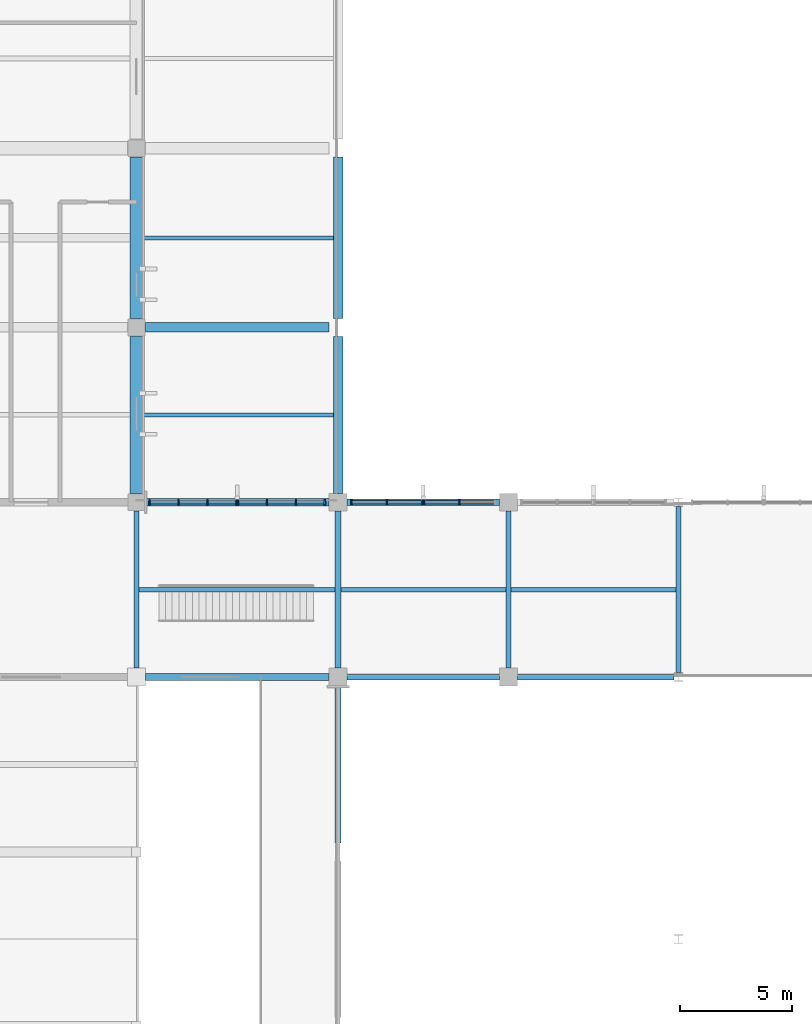
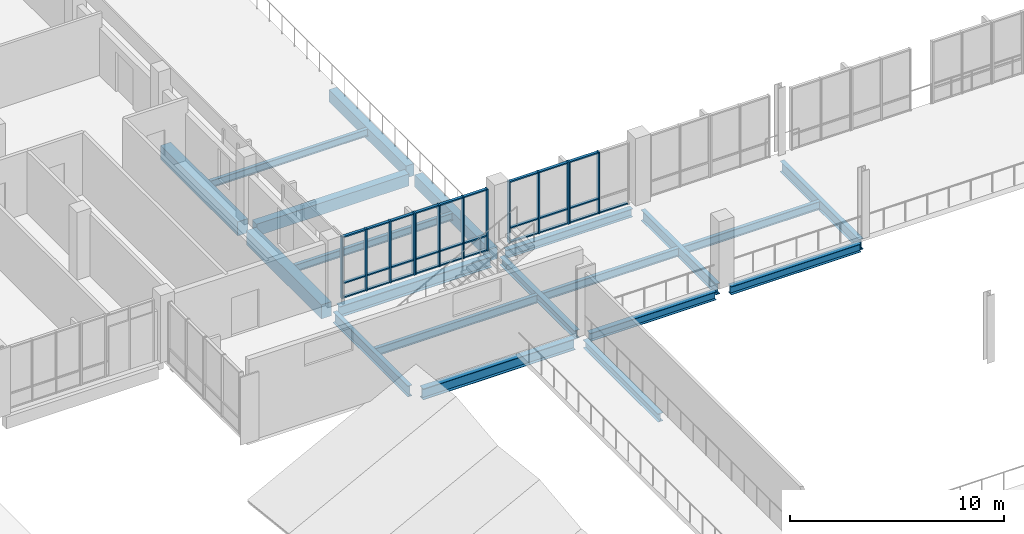
# One storey, part 23 of 64: 41 members, 20 beams, 4 elements without a shape of their own.
"""IFC4 building model written with IfcOpenShell, lengths in metres."""

from ifc_helpers import new_model, si_unit, direction, frame, origin, origin_2d, place, context, subcontext, project, spatial, rectangle, i_section, extrude, material, material_profile, profile_set, type_object, element, aggregate, save


model = new_model("IFC4")

# Units and contexts
model_context = context("Model", 3, precision=1e-05, world=origin(), true_north=direction((0.0, 1.0)))
body_context = subcontext(model_context, "Body", "Model", "MODEL_VIEW")
ifc_project = project(units=[si_unit("LENGTHUNIT", "METRE"), si_unit("AREAUNIT", "SQUARE_METRE"), si_unit("VOLUMEUNIT", "CUBIC_METRE"), si_unit("PLANEANGLEUNIT", "RADIAN"), si_unit("MASSUNIT", "GRAM", prefix="KILO")], contexts=[model_context])

# Site, building, storey
site_placement = place(None, origin())
site = spatial("IfcSite", under=ifc_project, at=site_placement, CompositionType="ELEMENT")
building_placement = place(site_placement, origin())
building = spatial("IfcBuilding", under=site, at=building_placement, Name="Vervanel Yard Central Library", CompositionType="ELEMENT")
storey_placement = place(building_placement, frame((0.0, 0.0, 8.93994140625)))
storey = spatial("IfcBuildingStorey", under=building, at=storey_placement, Name="L02", CompositionType="ELEMENT", Elevation=8.93994140625)

# Beams
ifc_material_1 = material(Name="Concrete C40/50", Category="concrete")
ifc_material_profile_1 = material_profile(ifc_material_1, rectangle(XDim=0.419921875, YDim=0.679931640625, at=origin_2d()), Name="RC 420x680", Category="concrete")
ifc_profile_set_1 = profile_set([ifc_material_profile_1], Name="Concrete C40/50")
beam_type_1 = type_object("IfcBeamType", Name="Concrete Perimeter Spandrel 420x680", PredefinedType="SPANDREL", material=ifc_profile_set_1)
beam_1_placement = place(storey_placement, frame((99.39990234375, 90.0, -0.68505859375), z_axis=(1.0, 0.0, 0.0), x_axis=(0.0, 1.0, 0.0)))
element("IfcBeam", 1, at=beam_1_placement, inside=storey, type_object=beam_type_1, Name="L02 Girder SP-04 Y=90.0 X=99.0-108.0", PredefinedType="SPANDREL", context=body_context, shape_type="SweptSolid", body=[
    extrude(rectangle(XDim=0.419921875, YDim=0.679931640625, at=origin_2d()), origin(), (0.0, 0.0, 1.0), 8.2001953125),
])
beam_2_placement = place(storey_placement, frame((108.0, 82.60009765625, -0.68505859375), z_axis=(0.0, 1.0, 0.0), x_axis=(-1.0, 0.0, 0.0)))
element("IfcBeam", 2, at=beam_2_placement, inside=storey, type_object=beam_type_1, Name="L02 Girder SP-04 X=108.0 Y=82.2-90.0", PredefinedType="SPANDREL", context=body_context, shape_type="SweptSolid", body=[
    extrude(rectangle(XDim=0.419921875, YDim=0.679931640625, at=origin_2d()), origin(), (0.0, 0.0, 1.0), 7.0),
])
beam_3_placement = place(storey_placement, frame((108.0, 90.39990234375, -0.68505859375), z_axis=(0.0, 1.0, 0.0), x_axis=(-1.0, 0.0, 0.0)))
element("IfcBeam", 3, at=beam_3_placement, inside=storey, type_object=beam_type_1, Name="L02 Girder SP-04 X=108.0 Y=90.0-98.0", PredefinedType="SPANDREL", context=body_context, shape_type="SweptSolid", body=[
    extrude(rectangle(XDim=0.419921875, YDim=0.679931640625, at=origin_2d()), origin(), (0.0, 0.0, 1.0), 7.2001953125),
])
ifc_material_profile_2 = material_profile(ifc_material_1, rectangle(XDim=0.550048828125, YDim=0.800048828125, at=origin_2d()), Name="RC 550x800", Category="concrete")
ifc_profile_set_2 = profile_set([ifc_material_profile_2], Name="Concrete C40/50")
beam_type_2 = type_object("IfcBeamType", Name="Concrete Primary Girder 550x800", PredefinedType="BEAM", material=ifc_profile_set_2)
beam_4_placement = place(storey_placement, frame((99.0, 82.60009765625, -0.744873046875), z_axis=(0.0, 1.0, 0.0), x_axis=(-1.0, 0.0, 0.0)))
element("IfcBeam", 4, at=beam_4_placement, inside=storey, type_object=beam_type_2, Name="L02 Girder CB-02 X=99.0 Y=82.2-90.0", PredefinedType="BEAM", context=body_context, shape_type="SweptSolid", body=[
    extrude(rectangle(XDim=0.550048828125, YDim=0.800048828125, at=origin_2d()), origin(), (0.0, 0.0, 1.0), 7.0),
])
beam_5_placement = place(storey_placement, frame((99.0, 90.39990234375, -0.744873046875), z_axis=(0.0, 1.0, 0.0), x_axis=(-1.0, 0.0, 0.0)))
element("IfcBeam", 5, at=beam_5_placement, inside=storey, type_object=beam_type_2, Name="L02 Girder CB-02 X=99.0 Y=90.0-98.0", PredefinedType="BEAM", context=body_context, shape_type="SweptSolid", body=[
    extrude(rectangle(XDim=0.550048828125, YDim=0.800048828125, at=origin_2d()), origin(), (0.0, 0.0, 1.0), 7.2001953125),
])

# Curtain wall, members
ifc_material_2 = material(Name="Thermally broken anodized aluminium 6063-T6", Category="aluminium")
curtain_wall_type = type_object("IfcCurtainWallType", Name="Reading Hall Full-Height Curtain Wall", PredefinedType="NOTDEFINED", material=ifc_material_2)
curtain_wall_1_placement = place(storey_placement, origin())
curtain_wall_1 = element("IfcCurtainWall", 6, at=curtain_wall_1_placement, inside=storey, type_object=curtain_wall_type, Name="L02 Reading Hall Full-Height Curtain Wall CWR-L02-096", PredefinedType="NOTDEFINED")
ifc_material_profile_3 = material_profile(ifc_material_2, rectangle(XDim=0.070068359375, YDim=0.219970703125, at=origin_2d()), Name="ALU 70x220", Category="aluminium")
ifc_profile_set_3 = profile_set([ifc_material_profile_3], Name="Thermally broken anodized aluminium 6063-T6")
member_type_1 = type_object("IfcMemberType", Name="Reading Hall Deep Mullion 70x220", PredefinedType="MULLION", material=ifc_profile_set_3)
member_1_placement = place(storey_placement, frame((99.594970703125, 82.199951171875, 0.0), z_axis=(0.0, 0.0, 1.0), x_axis=(1.0, 0.0, 0.0)))
member_1 = element("IfcMember", 7, at=member_1_placement, type_object=member_type_1, Name="CWR-L02-096 Mullion 1", PredefinedType="MULLION", context=body_context, shape_type="SweptSolid", body=[
    extrude(rectangle(XDim=0.070068359375, YDim=0.219970703125, at=origin_2d()), origin(), (0.0, 0.0, 1.0), 3.510009765625),
])
member_2_placement = place(storey_placement, frame((100.885009765625, 82.199951171875, 0.0), z_axis=(0.0, 0.0, 1.0), x_axis=(1.0, 0.0, 0.0)))
member_2 = element("IfcMember", 8, at=member_2_placement, type_object=member_type_1, Name="CWR-L02-096 Mullion 2", PredefinedType="MULLION", context=body_context, shape_type="SweptSolid", body=[
    extrude(rectangle(XDim=0.070068359375, YDim=0.219970703125, at=origin_2d()), origin(), (0.0, 0.0, 1.0), 3.510009765625),
])
member_3_placement = place(storey_placement, frame((102.175048828125, 82.199951171875, 0.0), z_axis=(0.0, 0.0, 1.0), x_axis=(1.0, 0.0, 0.0)))
member_3 = element("IfcMember", 9, at=member_3_placement, type_object=member_type_1, Name="CWR-L02-096 Mullion 3", PredefinedType="MULLION", context=body_context, shape_type="SweptSolid", body=[
    extrude(rectangle(XDim=0.070068359375, YDim=0.219970703125, at=origin_2d()), origin(), (0.0, 0.0, 1.0), 3.510009765625),
])
member_4_placement = place(storey_placement, frame((103.465087890625, 82.199951171875, 0.0), z_axis=(0.0, 0.0, 1.0), x_axis=(1.0, 0.0, 0.0)))
member_4 = element("IfcMember", 10, at=member_4_placement, type_object=member_type_1, Name="CWR-L02-096 Mullion 4", PredefinedType="MULLION", context=body_context, shape_type="SweptSolid", body=[
    extrude(rectangle(XDim=0.070068359375, YDim=0.219970703125, at=origin_2d()), origin(), (0.0, 0.0, 1.0), 3.510009765625),
])

curtain_wall_2_placement = place(storey_placement, origin())
curtain_wall_2 = element("IfcCurtainWall", 11, at=curtain_wall_2_placement, inside=storey, type_object=curtain_wall_type, Name="L02 Reading Hall Full-Height Curtain Wall CWR-L02-097", PredefinedType="NOTDEFINED")
member_5_placement = place(storey_placement, frame((103.534912109375, 82.199951171875, 0.0), z_axis=(0.0, 0.0, 1.0), x_axis=(1.0, 0.0, 0.0)))
member_5 = element("IfcMember", 12, at=member_5_placement, type_object=member_type_1, Name="CWR-L02-097 Mullion 1", PredefinedType="MULLION", context=body_context, shape_type="SweptSolid", body=[
    extrude(rectangle(XDim=0.070068359375, YDim=0.219970703125, at=origin_2d()), origin(), (0.0, 0.0, 1.0), 3.510009765625),
])
member_6_placement = place(storey_placement, frame((104.824951171875, 82.199951171875, 0.0), z_axis=(0.0, 0.0, 1.0), x_axis=(1.0, 0.0, 0.0)))
member_6 = element("IfcMember", 13, at=member_6_placement, type_object=member_type_1, Name="CWR-L02-097 Mullion 2", PredefinedType="MULLION", context=body_context, shape_type="SweptSolid", body=[
    extrude(rectangle(XDim=0.070068359375, YDim=0.219970703125, at=origin_2d()), origin(), (0.0, 0.0, 1.0), 3.510009765625),
])
member_7_placement = place(storey_placement, frame((106.114990234375, 82.199951171875, 0.0), z_axis=(0.0, 0.0, 1.0), x_axis=(1.0, 0.0, 0.0)))
member_7 = element("IfcMember", 14, at=member_7_placement, type_object=member_type_1, Name="CWR-L02-097 Mullion 3", PredefinedType="MULLION", context=body_context, shape_type="SweptSolid", body=[
    extrude(rectangle(XDim=0.070068359375, YDim=0.219970703125, at=origin_2d()), origin(), (0.0, 0.0, 1.0), 3.510009765625),
])
member_8_placement = place(storey_placement, frame((107.405029296875, 82.199951171875, 0.0), z_axis=(0.0, 0.0, 1.0), x_axis=(1.0, 0.0, 0.0)))
member_8 = element("IfcMember", 15, at=member_8_placement, type_object=member_type_1, Name="CWR-L02-097 Mullion 4", PredefinedType="MULLION", context=body_context, shape_type="SweptSolid", body=[
    extrude(rectangle(XDim=0.070068359375, YDim=0.219970703125, at=origin_2d()), origin(), (0.0, 0.0, 1.0), 3.510009765625),
])

curtain_wall_3_placement = place(storey_placement, origin())
curtain_wall_3 = element("IfcCurtainWall", 16, at=curtain_wall_3_placement, inside=storey, type_object=curtain_wall_type, Name="L02 Reading Hall Full-Height Curtain Wall CWR-L02-098", PredefinedType="NOTDEFINED")
member_9_placement = place(storey_placement, frame((108.594970703125, 82.199951171875, 0.0), z_axis=(0.0, 0.0, 1.0), x_axis=(1.0, 0.0, 0.0)))
member_9 = element("IfcMember", 17, at=member_9_placement, type_object=member_type_1, Name="CWR-L02-098 Mullion 1", PredefinedType="MULLION", context=body_context, shape_type="SweptSolid", body=[
    extrude(rectangle(XDim=0.070068359375, YDim=0.219970703125, at=origin_2d()), origin(), (0.0, 0.0, 1.0), 3.510009765625),
])
member_10_placement = place(storey_placement, frame((110.179931640625, 82.199951171875, 0.0), z_axis=(0.0, 0.0, 1.0), x_axis=(1.0, 0.0, 0.0)))
member_10 = element("IfcMember", 18, at=member_10_placement, type_object=member_type_1, Name="CWR-L02-098 Mullion 2", PredefinedType="MULLION", context=body_context, shape_type="SweptSolid", body=[
    extrude(rectangle(XDim=0.070068359375, YDim=0.219970703125, at=origin_2d()), origin(), (0.0, 0.0, 1.0), 3.510009765625),
])
member_11_placement = place(storey_placement, frame((111.764892578125, 82.199951171875, 0.0), z_axis=(0.0, 0.0, 1.0), x_axis=(1.0, 0.0, 0.0)))
member_11 = element("IfcMember", 19, at=member_11_placement, type_object=member_type_1, Name="CWR-L02-098 Mullion 3", PredefinedType="MULLION", context=body_context, shape_type="SweptSolid", body=[
    extrude(rectangle(XDim=0.070068359375, YDim=0.219970703125, at=origin_2d()), origin(), (0.0, 0.0, 1.0), 3.510009765625),
])

curtain_wall_4_placement = place(storey_placement, origin())
curtain_wall_4 = element("IfcCurtainWall", 20, at=curtain_wall_4_placement, inside=storey, type_object=curtain_wall_type, Name="L02 Reading Hall Full-Height Curtain Wall CWR-L02-099", PredefinedType="NOTDEFINED")
member_12_placement = place(storey_placement, frame((111.8349609375, 82.199951171875, 0.0), z_axis=(0.0, 0.0, 1.0), x_axis=(1.0, 0.0, 0.0)))
member_12 = element("IfcMember", 21, at=member_12_placement, type_object=member_type_1, Name="CWR-L02-099 Mullion 1", PredefinedType="MULLION", context=body_context, shape_type="SweptSolid", body=[
    extrude(rectangle(XDim=0.070068359375, YDim=0.219970703125, at=origin_2d()), origin(), (0.0, 0.0, 1.0), 3.510009765625),
])
member_13_placement = place(storey_placement, frame((113.419921875, 82.199951171875, 0.0), z_axis=(0.0, 0.0, 1.0), x_axis=(1.0, 0.0, 0.0)))
member_13 = element("IfcMember", 22, at=member_13_placement, type_object=member_type_1, Name="CWR-L02-099 Mullion 2", PredefinedType="MULLION", context=body_context, shape_type="SweptSolid", body=[
    extrude(rectangle(XDim=0.070068359375, YDim=0.219970703125, at=origin_2d()), origin(), (0.0, 0.0, 1.0), 3.510009765625),
])

# Member
ifc_material_profile_4 = material_profile(ifc_material_2, rectangle(XDim=0.070068359375, YDim=0.14990234375, at=origin_2d()), Name="ALU 70x150", Category="aluminium")
ifc_profile_set_4 = profile_set([ifc_material_profile_4], Name="Thermally broken anodized aluminium 6063-T6")
member_type_2 = type_object("IfcMemberType", Name="Reading Hall Deep Transom 70x150", PredefinedType="NOTDEFINED", material=ifc_profile_set_4)
member_14_placement = place(storey_placement, frame((99.6298828125, 82.199951171875, 0.03515625), z_axis=(1.0, 0.0, 0.0), x_axis=(0.0, 0.0, 1.0)))
member_14 = element("IfcMember", 23, at=member_14_placement, type_object=member_type_2, Name="CWR-L02-096 Transom B1-T1", ObjectType="TRANSOM", PredefinedType="USERDEFINED", context=body_context, shape_type="SweptSolid", body=[
    extrude(rectangle(XDim=0.070068359375, YDim=0.14990234375, at=origin_2d()), origin(), (0.0, 0.0, 1.0), 1.22021484375),
])

member_15_placement = place(storey_placement, frame((99.6298828125, 82.199951171875, 0.85009765625), z_axis=(1.0, 0.0, 0.0), x_axis=(0.0, 0.0, 1.0)))
member_15 = element("IfcMember", 24, at=member_15_placement, type_object=member_type_2, Name="CWR-L02-096 Transom B1-T2", ObjectType="TRANSOM", PredefinedType="USERDEFINED", context=body_context, shape_type="SweptSolid", body=[
    extrude(rectangle(XDim=0.070068359375, YDim=0.14990234375, at=origin_2d()), origin(), (0.0, 0.0, 1.0), 1.22021484375),
])

member_16_placement = place(storey_placement, frame((99.6298828125, 82.199951171875, 3.47509765625), z_axis=(1.0, 0.0, 0.0), x_axis=(0.0, 0.0, 1.0)))
member_16 = element("IfcMember", 25, at=member_16_placement, type_object=member_type_2, Name="CWR-L02-096 Transom B1-T3", ObjectType="TRANSOM", PredefinedType="USERDEFINED", context=body_context, shape_type="SweptSolid", body=[
    extrude(rectangle(XDim=0.070068359375, YDim=0.14990234375, at=origin_2d()), origin(), (0.0, 0.0, 1.0), 1.22021484375),
])

member_17_placement = place(storey_placement, frame((100.919921875, 82.199951171875, 0.03515625), z_axis=(1.0, 0.0, 0.0), x_axis=(0.0, 0.0, 1.0)))
member_17 = element("IfcMember", 26, at=member_17_placement, type_object=member_type_2, Name="CWR-L02-096 Transom B2-T1", ObjectType="TRANSOM", PredefinedType="USERDEFINED", context=body_context, shape_type="SweptSolid", body=[
    extrude(rectangle(XDim=0.070068359375, YDim=0.14990234375, at=origin_2d()), origin(), (0.0, 0.0, 1.0), 1.219970703125),
])

member_18_placement = place(storey_placement, frame((100.919921875, 82.199951171875, 0.85009765625), z_axis=(1.0, 0.0, 0.0), x_axis=(0.0, 0.0, 1.0)))
member_18 = element("IfcMember", 27, at=member_18_placement, type_object=member_type_2, Name="CWR-L02-096 Transom B2-T2", ObjectType="TRANSOM", PredefinedType="USERDEFINED", context=body_context, shape_type="SweptSolid", body=[
    extrude(rectangle(XDim=0.070068359375, YDim=0.14990234375, at=origin_2d()), origin(), (0.0, 0.0, 1.0), 1.219970703125),
])

member_19_placement = place(storey_placement, frame((100.919921875, 82.199951171875, 3.47509765625), z_axis=(1.0, 0.0, 0.0), x_axis=(0.0, 0.0, 1.0)))
member_19 = element("IfcMember", 28, at=member_19_placement, type_object=member_type_2, Name="CWR-L02-096 Transom B2-T3", ObjectType="TRANSOM", PredefinedType="USERDEFINED", context=body_context, shape_type="SweptSolid", body=[
    extrude(rectangle(XDim=0.070068359375, YDim=0.14990234375, at=origin_2d()), origin(), (0.0, 0.0, 1.0), 1.219970703125),
])

member_20_placement = place(storey_placement, frame((102.2099609375, 82.199951171875, 0.03515625), z_axis=(1.0, 0.0, 0.0), x_axis=(0.0, 0.0, 1.0)))
member_20 = element("IfcMember", 29, at=member_20_placement, type_object=member_type_2, Name="CWR-L02-096 Transom B3-T1", ObjectType="TRANSOM", PredefinedType="USERDEFINED", context=body_context, shape_type="SweptSolid", body=[
    extrude(rectangle(XDim=0.070068359375, YDim=0.14990234375, at=origin_2d()), origin(), (0.0, 0.0, 1.0), 1.219970703125),
])

member_21_placement = place(storey_placement, frame((102.2099609375, 82.199951171875, 0.85009765625), z_axis=(1.0, 0.0, 0.0), x_axis=(0.0, 0.0, 1.0)))
member_21 = element("IfcMember", 30, at=member_21_placement, type_object=member_type_2, Name="CWR-L02-096 Transom B3-T2", ObjectType="TRANSOM", PredefinedType="USERDEFINED", context=body_context, shape_type="SweptSolid", body=[
    extrude(rectangle(XDim=0.070068359375, YDim=0.14990234375, at=origin_2d()), origin(), (0.0, 0.0, 1.0), 1.219970703125),
])

member_22_placement = place(storey_placement, frame((102.2099609375, 82.199951171875, 3.47509765625), z_axis=(1.0, 0.0, 0.0), x_axis=(0.0, 0.0, 1.0)))
member_22 = element("IfcMember", 31, at=member_22_placement, type_object=member_type_2, Name="CWR-L02-096 Transom B3-T3", ObjectType="TRANSOM", PredefinedType="USERDEFINED", context=body_context, shape_type="SweptSolid", body=[
    extrude(rectangle(XDim=0.070068359375, YDim=0.14990234375, at=origin_2d()), origin(), (0.0, 0.0, 1.0), 1.219970703125),
])

aggregate(curtain_wall_1, [member_1, member_2, member_3, member_4, member_14, member_15, member_16, member_17, member_18, member_19, member_20, member_21, member_22])

member_23_placement = place(storey_placement, frame((103.570068359375, 82.199951171875, 0.03515625), z_axis=(1.0, 0.0, 0.0), x_axis=(0.0, 0.0, 1.0)))
member_23 = element("IfcMember", 32, at=member_23_placement, type_object=member_type_2, Name="CWR-L02-097 Transom B1-T1", ObjectType="TRANSOM", PredefinedType="USERDEFINED", context=body_context, shape_type="SweptSolid", body=[
    extrude(rectangle(XDim=0.070068359375, YDim=0.14990234375, at=origin_2d()), origin(), (0.0, 0.0, 1.0), 1.219970703125),
])

member_24_placement = place(storey_placement, frame((103.570068359375, 82.199951171875, 0.85009765625), z_axis=(1.0, 0.0, 0.0), x_axis=(0.0, 0.0, 1.0)))
member_24 = element("IfcMember", 33, at=member_24_placement, type_object=member_type_2, Name="CWR-L02-097 Transom B1-T2", ObjectType="TRANSOM", PredefinedType="USERDEFINED", context=body_context, shape_type="SweptSolid", body=[
    extrude(rectangle(XDim=0.070068359375, YDim=0.14990234375, at=origin_2d()), origin(), (0.0, 0.0, 1.0), 1.219970703125),
])

member_25_placement = place(storey_placement, frame((103.570068359375, 82.199951171875, 3.47509765625), z_axis=(1.0, 0.0, 0.0), x_axis=(0.0, 0.0, 1.0)))
member_25 = element("IfcMember", 34, at=member_25_placement, type_object=member_type_2, Name="CWR-L02-097 Transom B1-T3", ObjectType="TRANSOM", PredefinedType="USERDEFINED", context=body_context, shape_type="SweptSolid", body=[
    extrude(rectangle(XDim=0.070068359375, YDim=0.14990234375, at=origin_2d()), origin(), (0.0, 0.0, 1.0), 1.219970703125),
])

member_26_placement = place(storey_placement, frame((104.860107421875, 82.199951171875, 0.03515625), z_axis=(1.0, 0.0, 0.0), x_axis=(0.0, 0.0, 1.0)))
member_26 = element("IfcMember", 35, at=member_26_placement, type_object=member_type_2, Name="CWR-L02-097 Transom B2-T1", ObjectType="TRANSOM", PredefinedType="USERDEFINED", context=body_context, shape_type="SweptSolid", body=[
    extrude(rectangle(XDim=0.070068359375, YDim=0.14990234375, at=origin_2d()), origin(), (0.0, 0.0, 1.0), 1.219970703125),
])

member_27_placement = place(storey_placement, frame((104.860107421875, 82.199951171875, 0.85009765625), z_axis=(1.0, 0.0, 0.0), x_axis=(0.0, 0.0, 1.0)))
member_27 = element("IfcMember", 36, at=member_27_placement, type_object=member_type_2, Name="CWR-L02-097 Transom B2-T2", ObjectType="TRANSOM", PredefinedType="USERDEFINED", context=body_context, shape_type="SweptSolid", body=[
    extrude(rectangle(XDim=0.070068359375, YDim=0.14990234375, at=origin_2d()), origin(), (0.0, 0.0, 1.0), 1.219970703125),
])

member_28_placement = place(storey_placement, frame((104.860107421875, 82.199951171875, 3.47509765625), z_axis=(1.0, 0.0, 0.0), x_axis=(0.0, 0.0, 1.0)))
member_28 = element("IfcMember", 37, at=member_28_placement, type_object=member_type_2, Name="CWR-L02-097 Transom B2-T3", ObjectType="TRANSOM", PredefinedType="USERDEFINED", context=body_context, shape_type="SweptSolid", body=[
    extrude(rectangle(XDim=0.070068359375, YDim=0.14990234375, at=origin_2d()), origin(), (0.0, 0.0, 1.0), 1.219970703125),
])

member_29_placement = place(storey_placement, frame((106.14990234375, 82.199951171875, 0.03515625), z_axis=(1.0, 0.0, 0.0), x_axis=(0.0, 0.0, 1.0)))
member_29 = element("IfcMember", 38, at=member_29_placement, type_object=member_type_2, Name="CWR-L02-097 Transom B3-T1", ObjectType="TRANSOM", PredefinedType="USERDEFINED", context=body_context, shape_type="SweptSolid", body=[
    extrude(rectangle(XDim=0.070068359375, YDim=0.14990234375, at=origin_2d()), origin(), (0.0, 0.0, 1.0), 1.22021484375),
])

member_30_placement = place(storey_placement, frame((106.14990234375, 82.199951171875, 0.85009765625), z_axis=(1.0, 0.0, 0.0), x_axis=(0.0, 0.0, 1.0)))
member_30 = element("IfcMember", 39, at=member_30_placement, type_object=member_type_2, Name="CWR-L02-097 Transom B3-T2", ObjectType="TRANSOM", PredefinedType="USERDEFINED", context=body_context, shape_type="SweptSolid", body=[
    extrude(rectangle(XDim=0.070068359375, YDim=0.14990234375, at=origin_2d()), origin(), (0.0, 0.0, 1.0), 1.22021484375),
])

member_31_placement = place(storey_placement, frame((106.14990234375, 82.199951171875, 3.47509765625), z_axis=(1.0, 0.0, 0.0), x_axis=(0.0, 0.0, 1.0)))
member_31 = element("IfcMember", 40, at=member_31_placement, type_object=member_type_2, Name="CWR-L02-097 Transom B3-T3", ObjectType="TRANSOM", PredefinedType="USERDEFINED", context=body_context, shape_type="SweptSolid", body=[
    extrude(rectangle(XDim=0.070068359375, YDim=0.14990234375, at=origin_2d()), origin(), (0.0, 0.0, 1.0), 1.22021484375),
])

aggregate(curtain_wall_2, [member_5, member_6, member_7, member_8, member_23, member_24, member_25, member_26, member_27, member_28, member_29, member_30, member_31])

member_32_placement = place(storey_placement, frame((108.6298828125, 82.199951171875, 0.03515625), z_axis=(1.0, 0.0, 0.0), x_axis=(0.0, 0.0, 1.0)))
member_32 = element("IfcMember", 41, at=member_32_placement, type_object=member_type_2, Name="CWR-L02-098 Transom B1-T1", ObjectType="TRANSOM", PredefinedType="USERDEFINED", context=body_context, shape_type="SweptSolid", body=[
    extrude(rectangle(XDim=0.070068359375, YDim=0.14990234375, at=origin_2d()), origin(), (0.0, 0.0, 1.0), 1.51513671875),
])

member_33_placement = place(storey_placement, frame((108.6298828125, 82.199951171875, 0.85009765625), z_axis=(1.0, 0.0, 0.0), x_axis=(0.0, 0.0, 1.0)))
member_33 = element("IfcMember", 42, at=member_33_placement, type_object=member_type_2, Name="CWR-L02-098 Transom B1-T2", ObjectType="TRANSOM", PredefinedType="USERDEFINED", context=body_context, shape_type="SweptSolid", body=[
    extrude(rectangle(XDim=0.070068359375, YDim=0.14990234375, at=origin_2d()), origin(), (0.0, 0.0, 1.0), 1.51513671875),
])

member_34_placement = place(storey_placement, frame((108.6298828125, 82.199951171875, 3.47509765625), z_axis=(1.0, 0.0, 0.0), x_axis=(0.0, 0.0, 1.0)))
member_34 = element("IfcMember", 43, at=member_34_placement, type_object=member_type_2, Name="CWR-L02-098 Transom B1-T3", ObjectType="TRANSOM", PredefinedType="USERDEFINED", context=body_context, shape_type="SweptSolid", body=[
    extrude(rectangle(XDim=0.070068359375, YDim=0.14990234375, at=origin_2d()), origin(), (0.0, 0.0, 1.0), 1.51513671875),
])

member_35_placement = place(storey_placement, frame((110.215087890625, 82.199951171875, 0.03515625), z_axis=(1.0, 0.0, 0.0), x_axis=(0.0, 0.0, 1.0)))
member_35 = element("IfcMember", 44, at=member_35_placement, type_object=member_type_2, Name="CWR-L02-098 Transom B2-T1", ObjectType="TRANSOM", PredefinedType="USERDEFINED", context=body_context, shape_type="SweptSolid", body=[
    extrude(rectangle(XDim=0.070068359375, YDim=0.14990234375, at=origin_2d()), origin(), (0.0, 0.0, 1.0), 1.514892578125),
])

member_36_placement = place(storey_placement, frame((110.215087890625, 82.199951171875, 0.85009765625), z_axis=(1.0, 0.0, 0.0), x_axis=(0.0, 0.0, 1.0)))
member_36 = element("IfcMember", 45, at=member_36_placement, type_object=member_type_2, Name="CWR-L02-098 Transom B2-T2", ObjectType="TRANSOM", PredefinedType="USERDEFINED", context=body_context, shape_type="SweptSolid", body=[
    extrude(rectangle(XDim=0.070068359375, YDim=0.14990234375, at=origin_2d()), origin(), (0.0, 0.0, 1.0), 1.514892578125),
])

member_37_placement = place(storey_placement, frame((110.215087890625, 82.199951171875, 3.47509765625), z_axis=(1.0, 0.0, 0.0), x_axis=(0.0, 0.0, 1.0)))
member_37 = element("IfcMember", 46, at=member_37_placement, type_object=member_type_2, Name="CWR-L02-098 Transom B2-T3", ObjectType="TRANSOM", PredefinedType="USERDEFINED", context=body_context, shape_type="SweptSolid", body=[
    extrude(rectangle(XDim=0.070068359375, YDim=0.14990234375, at=origin_2d()), origin(), (0.0, 0.0, 1.0), 1.514892578125),
])

aggregate(curtain_wall_3, [member_9, member_10, member_11, member_32, member_33, member_34, member_35, member_36, member_37])

member_38_placement = place(storey_placement, frame((111.8701171875, 82.199951171875, 0.03515625), z_axis=(1.0, 0.0, 0.0), x_axis=(0.0, 0.0, 1.0)))
member_38 = element("IfcMember", 47, at=member_38_placement, type_object=member_type_2, Name="CWR-L02-099 Transom B1-T1", ObjectType="TRANSOM", PredefinedType="USERDEFINED", context=body_context, shape_type="SweptSolid", body=[
    extrude(rectangle(XDim=0.070068359375, YDim=0.14990234375, at=origin_2d()), origin(), (0.0, 0.0, 1.0), 1.514892578125),
])

member_39_placement = place(storey_placement, frame((111.8701171875, 82.199951171875, 0.85009765625), z_axis=(1.0, 0.0, 0.0), x_axis=(0.0, 0.0, 1.0)))
member_39 = element("IfcMember", 48, at=member_39_placement, type_object=member_type_2, Name="CWR-L02-099 Transom B1-T2", ObjectType="TRANSOM", PredefinedType="USERDEFINED", context=body_context, shape_type="SweptSolid", body=[
    extrude(rectangle(XDim=0.070068359375, YDim=0.14990234375, at=origin_2d()), origin(), (0.0, 0.0, 1.0), 1.514892578125),
])

member_40_placement = place(storey_placement, frame((111.8701171875, 82.199951171875, 3.47509765625), z_axis=(1.0, 0.0, 0.0), x_axis=(0.0, 0.0, 1.0)))
member_40 = element("IfcMember", 49, at=member_40_placement, type_object=member_type_2, Name="CWR-L02-099 Transom B1-T3", ObjectType="TRANSOM", PredefinedType="USERDEFINED", context=body_context, shape_type="SweptSolid", body=[
    extrude(rectangle(XDim=0.070068359375, YDim=0.14990234375, at=origin_2d()), origin(), (0.0, 0.0, 1.0), 1.514892578125),
])

member_41_placement = place(storey_placement, frame((113.455078125, 82.199951171875, 0.03515625), z_axis=(1.0, 0.0, 0.0), x_axis=(0.0, 0.0, 1.0)))
member_41 = element("IfcMember", 50, at=member_41_placement, type_object=member_type_2, Name="CWR-L02-099 Transom B2-T1", ObjectType="TRANSOM", PredefinedType="USERDEFINED", context=body_context, shape_type="SweptSolid", body=[
    extrude(rectangle(XDim=0.070068359375, YDim=0.14990234375, at=origin_2d()), origin(), (0.0, 0.0, 1.0), 1.514892578125),
])

aggregate(curtain_wall_4, [member_12, member_13, member_38, member_39, member_40, member_41])

# Beams
ifc_material_3 = material(Name="Steel ASTM A992 Grade 50", Category="steel")
ifc_material_profile_5 = material_profile(ifc_material_3, i_section(OverallWidth=0.32763671875, OverallDepth=0.622314453125, WebThickness=0.015380859375, FlangeThickness=0.0244140625, at=origin_2d()), Name="W24X131", Category="steel")
ifc_profile_set_5 = profile_set([ifc_material_profile_5], Name="Steel ASTM A992 Grade 50")
beam_type_3 = type_object("IfcBeamType", Name="Steel Primary Girder W24X131", PredefinedType="BEAM", material=ifc_profile_set_5)
for number, where, z_axis, x_axis, name in (
    (51, (99.39990234375, 74.39990234375, -0.611083984375), (1.0, 0.0, 0.0), (0.0, 1.0, 0.0), "L02 Girder SB-02 Y=74.4 X=99.0-108.0"),
    (52, (99.39990234375, 82.199951171875, -0.656005859375), (1.0, 0.0, 0.0), (0.0, 1.0, 0.0), "L02 Girder SB-02 Y=82.2 X=99.0-108.0"),
):
    element("IfcBeam", number, at=place(storey_placement, frame(where, z_axis=z_axis, x_axis=x_axis)), inside=storey, type_object=beam_type_3, Name=name, PredefinedType="BEAM", context=body_context, shape_type="SweptSolid", body=[
        extrude(i_section(OverallWidth=0.32763671875, OverallDepth=0.622314453125, WebThickness=0.015380859375, FlangeThickness=0.0244140625, at=origin_2d()), origin(), (0.0, 0.0, 1.0), 8.2001953125),
    ])
ifc_material_profile_6 = material_profile(ifc_material_3, i_section(OverallWidth=0.22900390625, OverallDepth=0.612060546875, WebThickness=0.011962890625, FlangeThickness=0.01953125, at=origin_2d()), Name="W24X84", Category="steel")
ifc_profile_set_6 = profile_set([ifc_material_profile_6], Name="Steel ASTM A992 Grade 50")
beam_type_4 = type_object("IfcBeamType", Name="Steel Primary Girder W24X84", PredefinedType="BEAM", material=ifc_profile_set_6)
for number, where, z_axis, x_axis, name in (
    (53, (99.0, 74.800048828125, -0.60595703125), (0.0, 1.0, 0.0), (-1.0, 0.0, 0.0), "L02 Girder SB-01 X=99.0 Y=74.4-82.2"),
    (54, (115.60009765625, 74.800048828125, -0.60595703125), (0.0, 1.0, 0.0), (-1.0, 0.0, 0.0), "L02 Girder SB-01 X=115.6 Y=74.4-82.2"),
):
    element("IfcBeam", number, at=place(storey_placement, frame(where, z_axis=z_axis, x_axis=x_axis)), inside=storey, type_object=beam_type_4, Name=name, PredefinedType="BEAM", context=body_context, shape_type="SweptSolid", body=[
        extrude(i_section(OverallWidth=0.22900390625, OverallDepth=0.612060546875, WebThickness=0.011962890625, FlangeThickness=0.01953125, at=origin_2d()), origin(), (0.0, 0.0, 1.0), 7.0),
    ])
beam_6_placement = place(storey_placement, frame((123.199951171875, 74.599365234375, -0.60595703125), z_axis=(0.0, 1.0, 0.0), x_axis=(-1.0, 0.0, 0.0)))
element("IfcBeam", 55, at=beam_6_placement, inside=storey, type_object=beam_type_4, Name="L02 Girder SB-01 X=123.2 Y=74.4-82.2", PredefinedType="BEAM", context=body_context, shape_type="SweptSolid", body=[
    extrude(i_section(OverallWidth=0.22900390625, OverallDepth=0.612060546875, WebThickness=0.011962890625, FlangeThickness=0.01953125, at=origin_2d()), origin(), (0.0, 0.0, 1.0), 7.401123046875),
])
ifc_material_profile_7 = material_profile(ifc_material_3, i_section(OverallWidth=0.1787109375, OverallDepth=0.408935546875, WebThickness=0.0087890625, FlangeThickness=0.014404296875, at=origin_2d()), Name="W16X45", Category="steel")
ifc_profile_set_7 = profile_set([ifc_material_profile_7], Name="Steel ASTM A992 Grade 50")
beam_type_5 = type_object("IfcBeamType", Name="Steel Secondary Joist W16X45", PredefinedType="JOIST", material=ifc_profile_set_7)
for number, where, z_axis, x_axis, name in (
    (56, (99.27490234375, 86.10009765625, -0.54931640625), (1.0, 0.0, 0.0), (0.0, 1.0, 0.0), "L02 Floor Joist SJ-01 Y=86.10 X=99.0-108.0"),
    (57, (99.27490234375, 94.0, -0.54931640625), (1.0, 0.0, 0.0), (0.0, 1.0, 0.0), "L02 Floor Joist SJ-01 Y=94.00 X=99.0-108.0"),
):
    element("IfcBeam", number, at=place(storey_placement, frame(where, z_axis=z_axis, x_axis=x_axis)), inside=storey, type_object=beam_type_5, Name=name, PredefinedType="JOIST", context=body_context, shape_type="SweptSolid", body=[
        extrude(i_section(OverallWidth=0.1787109375, OverallDepth=0.408935546875, WebThickness=0.0087890625, FlangeThickness=0.014404296875, at=origin_2d()), origin(), (0.0, 0.0, 1.0), 8.51513671875),
    ])
ifc_material_profile_8 = material_profile(ifc_material_3, i_section(OverallWidth=0.191162109375, OverallDepth=0.459716796875, WebThickness=0.010009765625, FlangeThickness=0.01611328125, at=origin_2d()), Name="W18X55", Category="steel")
ifc_profile_set_8 = profile_set([ifc_material_profile_8], Name="Steel ASTM A992 Grade 50")
beam_type_6 = type_object("IfcBeamType", Name="Steel Secondary Joist W18X55", PredefinedType="JOIST", material=ifc_profile_set_8)
beam_7_placement = place(storey_placement, frame((99.114501953125, 78.300048828125, -0.52978515625), z_axis=(1.0, 0.0, 0.0), x_axis=(0.0, 1.0, 0.0)))
element("IfcBeam", 58, at=beam_7_placement, inside=storey, type_object=beam_type_6, Name="L02 Floor Joist SJ-03 Y=78.30 X=99.0-108.0", PredefinedType="JOIST", context=body_context, shape_type="SweptSolid", body=[
    extrude(i_section(OverallWidth=0.191162109375, OverallDepth=0.459716796875, WebThickness=0.010009765625, FlangeThickness=0.01611328125, at=origin_2d()), origin(), (0.0, 0.0, 1.0), 8.744384765625),
])
beam_8_placement = place(storey_placement, frame((108.14111328125, 78.300048828125, -0.52978515625), z_axis=(1.0, 0.0, 0.0), x_axis=(0.0, 1.0, 0.0)))
element("IfcBeam", 59, at=beam_8_placement, inside=storey, type_object=beam_type_6, Name="L02 Floor Joist SJ-03 Y=78.30 X=108.0-115.6", PredefinedType="JOIST", context=body_context, shape_type="SweptSolid", body=[
    extrude(i_section(OverallWidth=0.191162109375, OverallDepth=0.459716796875, WebThickness=0.010009765625, FlangeThickness=0.01611328125, at=origin_2d()), origin(), (0.0, 0.0, 1.0), 7.34423828125),
])
beam_9_placement = place(storey_placement, frame((115.714599609375, 78.300048828125, -0.52978515625), z_axis=(1.0, 0.0, 0.0), x_axis=(0.0, 1.0, 0.0)))
element("IfcBeam", 60, at=beam_9_placement, inside=storey, type_object=beam_type_6, Name="L02 Floor Joist SJ-03 Y=78.30 X=115.6-123.2", PredefinedType="JOIST", context=body_context, shape_type="SweptSolid", body=[
    extrude(i_section(OverallWidth=0.191162109375, OverallDepth=0.459716796875, WebThickness=0.010009765625, FlangeThickness=0.01611328125, at=origin_2d()), origin(), (0.0, 0.0, 1.0), 7.370849609375),
])
ifc_material_profile_9 = material_profile(ifc_material_3, i_section(OverallWidth=0.281982421875, OverallDepth=0.46728515625, WebThickness=0.01220703125, FlangeThickness=0.01953125, at=origin_2d()), Name="W18X86", Category="steel")
ifc_profile_set_9 = profile_set([ifc_material_profile_9], Name="Steel ASTM A992 Grade 50")
beam_type_7 = type_object("IfcBeamType", Name="Steel Spandrel Beam W18X86", PredefinedType="SPANDREL", material=ifc_profile_set_9)
beam_10_placement = place(storey_placement, frame((108.39990234375, 74.39990234375, -0.53369140625), z_axis=(1.0, 0.0, 0.0), x_axis=(0.0, 1.0, 0.0)))
element("IfcBeam", 61, at=beam_10_placement, inside=storey, type_object=beam_type_7, Name="L02 Girder SP-02 Y=74.4 X=108.0-115.6", PredefinedType="SPANDREL", context=body_context, shape_type="SweptSolid", body=[
    extrude(i_section(OverallWidth=0.281982421875, OverallDepth=0.46728515625, WebThickness=0.01220703125, FlangeThickness=0.01953125, at=origin_2d()), origin(), (0.0, 0.0, 1.0), 6.800048828125),
])
beam_11_placement = place(storey_placement, frame((116.0, 74.39990234375, -0.53369140625), z_axis=(1.0, 0.0, 0.0), x_axis=(0.0, 1.0, 0.0)))
element("IfcBeam", 62, at=beam_11_placement, inside=storey, type_object=beam_type_7, Name="L02 Girder SP-02 Y=74.4 X=115.6-123.2", PredefinedType="SPANDREL", context=body_context, shape_type="SweptSolid", body=[
    extrude(i_section(OverallWidth=0.281982421875, OverallDepth=0.46728515625, WebThickness=0.01220703125, FlangeThickness=0.01953125, at=origin_2d()), origin(), (0.0, 0.0, 1.0), 6.999267578125),
])
beam_12_placement = place(storey_placement, frame((108.39990234375, 82.199951171875, -0.53369140625), z_axis=(1.0, 0.0, 0.0), x_axis=(0.0, 1.0, 0.0)))
element("IfcBeam", 63, at=beam_12_placement, inside=storey, type_object=beam_type_7, Name="L02 Girder SP-02 Y=82.2 X=108.0-115.6", PredefinedType="SPANDREL", context=body_context, shape_type="SweptSolid", body=[
    extrude(i_section(OverallWidth=0.281982421875, OverallDepth=0.46728515625, WebThickness=0.01220703125, FlangeThickness=0.01953125, at=origin_2d()), origin(), (0.0, 0.0, 1.0), 6.800048828125),
])
for number, where, z_axis, x_axis, name in (
    (64, (108.0, 67.0, -0.53369140625), (0.0, 1.0, 0.0), (-1.0, 0.0, 0.0), "L02 Girder SP-02 X=108.0 Y=66.6-74.4"),
    (65, (108.0, 74.800048828125, -0.53369140625), (0.0, 1.0, 0.0), (-1.0, 0.0, 0.0), "L02 Girder SP-02 X=108.0 Y=74.4-82.2"),
):
    element("IfcBeam", number, at=place(storey_placement, frame(where, z_axis=z_axis, x_axis=x_axis)), inside=storey, type_object=beam_type_7, Name=name, PredefinedType="SPANDREL", context=body_context, shape_type="SweptSolid", body=[
        extrude(i_section(OverallWidth=0.281982421875, OverallDepth=0.46728515625, WebThickness=0.01220703125, FlangeThickness=0.01953125, at=origin_2d()), origin(), (0.0, 0.0, 1.0), 7.0),
    ])

save(model, "model.ifc")
